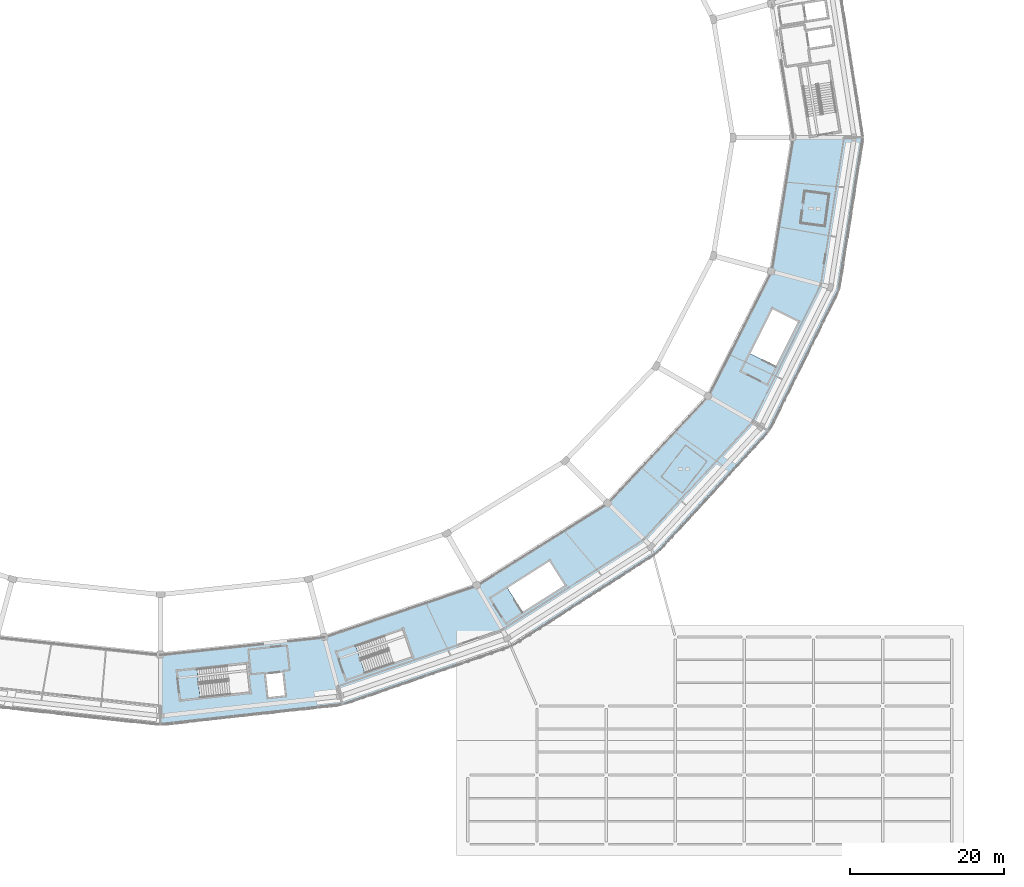
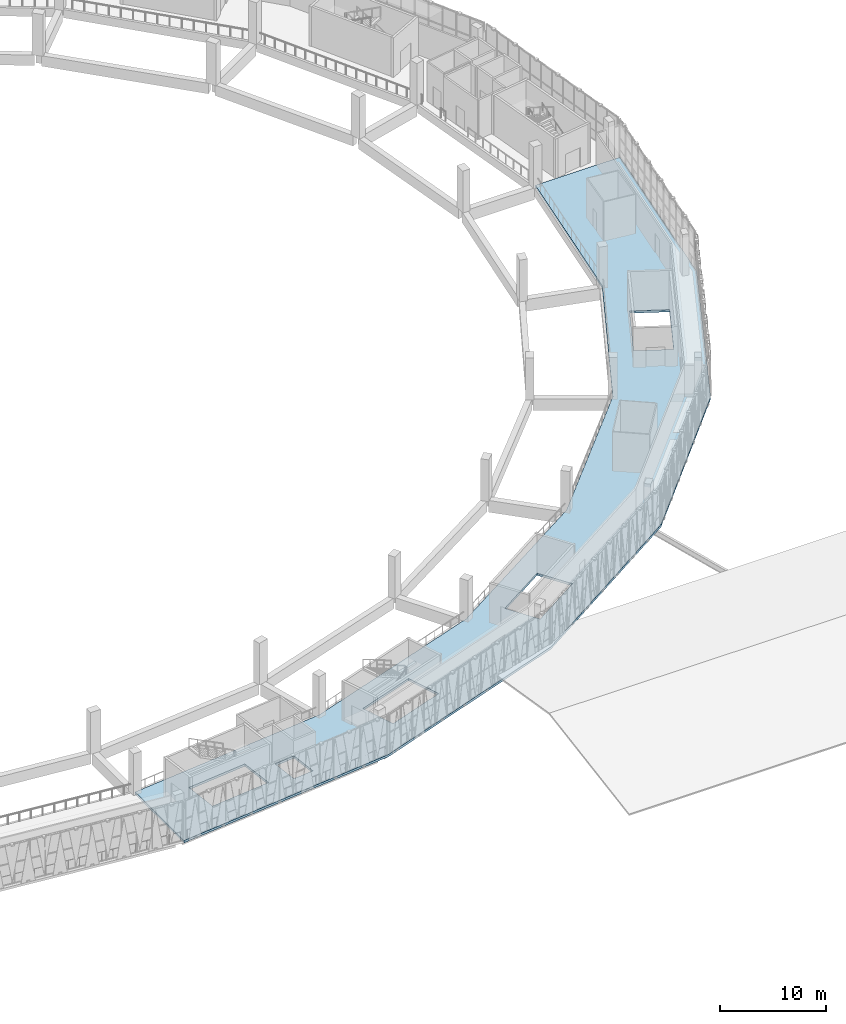
# One storey, part 56 of 108: 1 slab.
"""IFC4 building model written with IfcOpenShell, lengths in metres."""

from ifc_helpers import new_model, si_unit, direction, frame, origin, place, context, subcontext, project, spatial, polyline, outline, extrude, material, layer, layer_set, type_object, element, save


model = new_model("IFC4")

# Units and contexts
model_context = context("Model", 3, precision=1e-05, world=origin(), true_north=direction((0.0, 1.0)))
body_context = subcontext(model_context, "Body", "Model", "MODEL_VIEW")
ifc_project = project(units=[si_unit("LENGTHUNIT", "METRE"), si_unit("AREAUNIT", "SQUARE_METRE"), si_unit("VOLUMEUNIT", "CUBIC_METRE"), si_unit("PLANEANGLEUNIT", "RADIAN"), si_unit("MASSUNIT", "GRAM", prefix="KILO")], contexts=[model_context])

# Site, building, storey
site_placement = place(None, origin())
site = spatial("IfcSite", under=ifc_project, at=site_placement, CompositionType="ELEMENT")
building_placement = place(site_placement, origin())
building = spatial("IfcBuilding", under=site, at=building_placement, Name="Zevraka Park Crest Stadium", CompositionType="ELEMENT")
storey_placement = place(building_placement, frame((0.0, 0.0, 19.800048828125)))
storey = spatial("IfcBuildingStorey", under=building, at=storey_placement, Name="L04", CompositionType="ELEMENT", Elevation=19.800048828125)

# Slab
ifc_material = material(Name="Concrete C35/45", Category="concrete")
ifc_layer = layer(ifc_material, 0.260009765625)
ifc_layer_set = layer_set([ifc_layer], Name="Concrete C35/45")
slab_type = type_object("IfcSlabType", Name="FS03", PredefinedType="FLOOR", material=ifc_layer_set)
slab_placement = place(storey_placement, frame((0.0, 0.0, -0.260009765625)))
element("IfcSlab", 1, at=slab_placement, inside=storey, type_object=slab_type, Name="Bowl Concourse Ring Slab L04 Q4-SE-1", PredefinedType="FLOOR", context=body_context, shape_type="SweptSolid", body=[
    extrude(outline(polyline([(133.301025390625, 26.992919921875), (153.14990234375, 33.716064453125), (170.195068359375, 44.412109375), (183.27392578125, 58.35009765625), (191.49609375, 74.5810546875), (194.300048828125, 92.0), (203.5, 92.0), (200.382080078125, 72.199951171875), (191.240966796875, 53.75), (176.699951171875, 37.906005859375), (157.75, 25.7490234375), (135.681884765625, 18.10693359375), (112.0, 15.5), (112.0, 24.699951171875), (133.301025390625, 26.992919921875)]), holes=[polyline([(125.697998046875, 22.10498046875), (126.02294921875, 19.1220703125), (128.2099609375, 19.361083984375), (127.885009765625, 22.343994140625), (125.697998046875, 22.10498046875)]), polyline([(116.7451171875, 22.80810546875), (117.152099609375, 19.070068359375), (123.634033203125, 19.77490234375), (123.22705078125, 23.512939453125), (116.7451171875, 22.80810546875)]), polyline([(137.39306640625, 25.847900390625), (138.612060546875, 22.291015625), (144.780029296875, 24.403076171875), (143.56201171875, 27.9599609375), (137.39306640625, 25.847900390625)]), polyline([(162.64794921875, 36.881103515625), (157.14306640625, 33.387939453125), (159.156982421875, 30.212890625), (164.6630859375, 33.7060546875), (162.64794921875, 36.881103515625)]), polyline([(191.6689453125, 69.721923828125), (188.748046875, 63.89208984375), (192.110107421875, 62.2080078125), (195.031005859375, 68.037109375), (191.6689453125, 69.721923828125)])]), origin(), (0.0, 0.0, 1.0), 0.260009765625),
])

save(model, "model.ifc")
